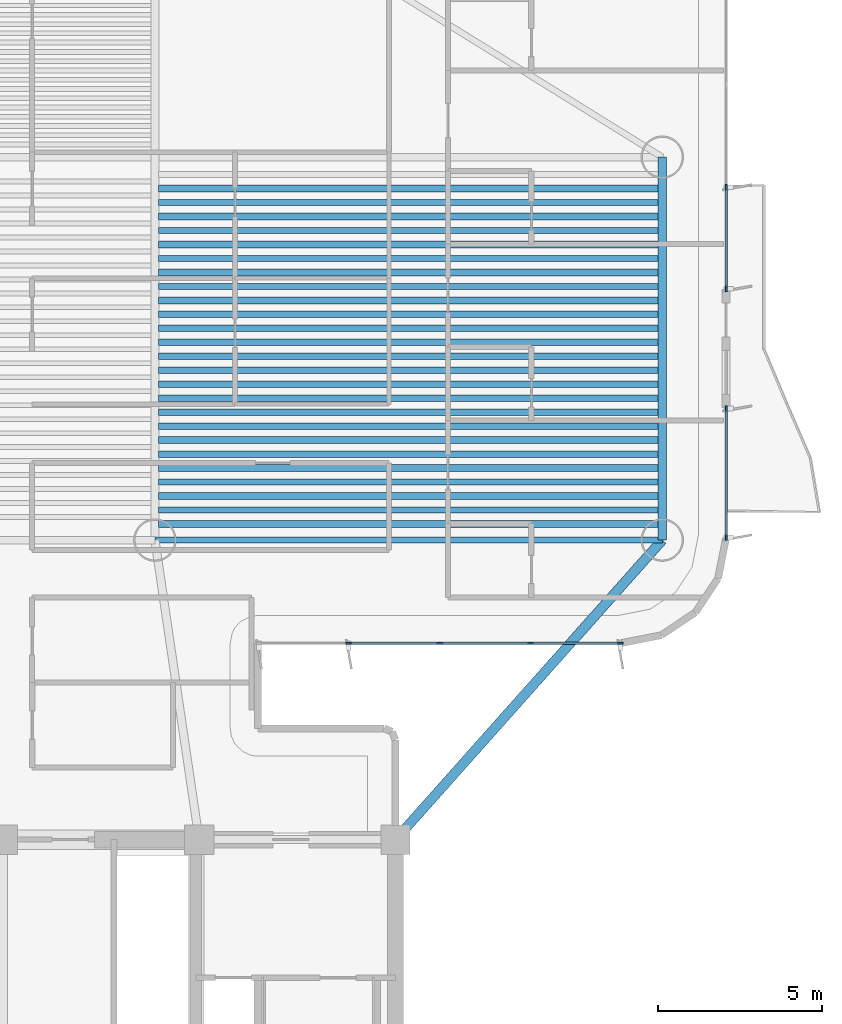
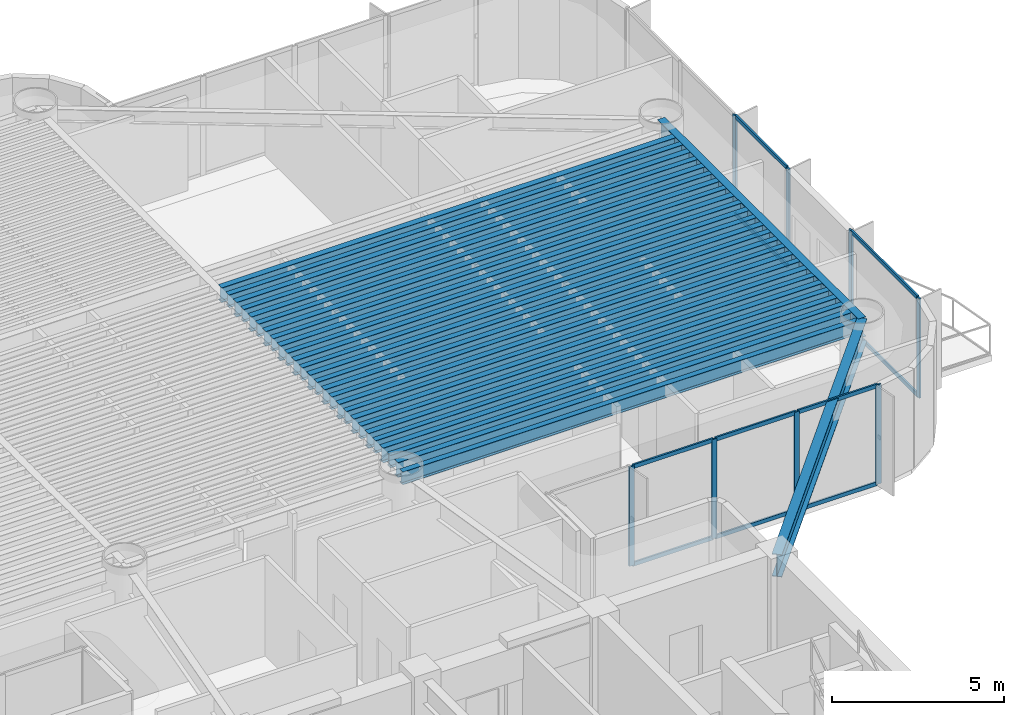
# One storey, part 4 of 17: 28 beams, 18 members, 3 elements without a shape of their own.
"""IFC4 building model written with IfcOpenShell, lengths in metres."""

from ifc_helpers import new_model, si_unit, direction, frame, origin, origin_2d, place, context, subcontext, project, spatial, rectangle, i_section, extrude, source, transform, mapped, material, layer, layer_set, material_profile, profile_set, type_object, element, aggregate, save


model = new_model("IFC4")

# Units and contexts
model_context = context("Model", 3, precision=1e-05, world=origin(), true_north=direction((0.0, 1.0)))
body_context = subcontext(model_context, "Body", "Model", "MODEL_VIEW")
ifc_project = project(units=[si_unit("LENGTHUNIT", "METRE"), si_unit("AREAUNIT", "SQUARE_METRE"), si_unit("VOLUMEUNIT", "CUBIC_METRE"), si_unit("PLANEANGLEUNIT", "RADIAN"), si_unit("MASSUNIT", "GRAM", prefix="KILO")], contexts=[model_context])

# Site, building, storey
site_placement = place(None, origin())
site = spatial("IfcSite", under=ifc_project, at=site_placement, CompositionType="ELEMENT")
building_placement = place(site_placement, origin())
building = spatial("IfcBuilding", under=site, at=building_placement, Name="Brelvock Crest Care Tower", CompositionType="ELEMENT")
storey_placement = place(building_placement, frame((0.0, 0.0, 135.179931640625)))
storey = spatial("IfcBuildingStorey", under=building, at=storey_placement, Name="L34", CompositionType="ELEMENT", Elevation=135.179931640625)

# Beams
ifc_material_1 = material(Name="Steel Grade 350", Category="steel")
ifc_material_profile_1 = material_profile(ifc_material_1, i_section(OverallWidth=0.208984375, OverallDepth=0.532958984375, WebThickness=0.01025390625, FlangeThickness=0.015625, FilletRadius=0.013916015625, at=origin_2d()), Name="530UB92.4")
ifc_profile_set_1 = profile_set([ifc_material_profile_1], Name="Steel Grade 350")
beam_type_1 = type_object("IfcBeamType", Name="BM-G2", PredefinedType="BEAM", material=ifc_profile_set_1)
shared_shape_1 = source(origin(), body_context, "Body", "SweptSolid", [
    extrude(i_section(OverallWidth=0.208984375, OverallDepth=0.532958984375, WebThickness=0.01025390625, FlangeThickness=0.015625, FilletRadius=0.013916015625, at=origin_2d()), origin(), (0.0, 0.0, 1.0), 15.27001953125),
])
for number, where, z_axis, x_axis, name in (
    (1, (40.764892578125, 27.641357421875, 3.263671875), (1.0, 0.0, 0.0), (0.0, 1.0, 0.0), "BM-JE-L34-1"),
    (2, (40.764892578125, 28.49560546875, 3.263671875), (1.0, 0.0, 0.0), (0.0, 1.0, 0.0), "BM-JE-L34-3"),
    (3, (40.764892578125, 29.349609375, 3.263671875), (1.0, 0.0, 0.0), (0.0, 1.0, 0.0), "BM-JE-L34-5"),
    (4, (40.764892578125, 30.20361328125, 3.263671875), (1.0, 0.0, 0.0), (0.0, 1.0, 0.0), "BM-JE-L34-7"),
    (5, (40.764892578125, 31.057861328125, 3.263671875), (1.0, 0.0, 0.0), (0.0, 1.0, 0.0), "BM-JE-L34-9"),
    (6, (40.764892578125, 31.911865234375, 3.263671875), (1.0, 0.0, 0.0), (0.0, 1.0, 0.0), "BM-JE-L34-11"),
    (7, (40.764892578125, 32.76611328125, 3.263671875), (1.0, 0.0, 0.0), (0.0, 1.0, 0.0), "BM-JE-L34-13"),
    (8, (40.764892578125, 33.6201171875, 3.263671875), (1.0, 0.0, 0.0), (0.0, 1.0, 0.0), "BM-JE-L34-15"),
    (9, (40.764892578125, 34.47412109375, 3.263671875), (1.0, 0.0, 0.0), (0.0, 1.0, 0.0), "BM-JE-L34-17"),
    (10, (40.764892578125, 35.328369140625, 3.263671875), (1.0, 0.0, 0.0), (0.0, 1.0, 0.0), "BM-JE-L34-19"),
    (11, (40.764892578125, 36.182373046875, 3.263671875), (1.0, 0.0, 0.0), (0.0, 1.0, 0.0), "BM-JE-L34-21"),
    (12, (40.764892578125, 37.03662109375, 3.263671875), (1.0, 0.0, 0.0), (0.0, 1.0, 0.0), "BM-JE-L34-23"),
    (13, (40.764892578125, 37.890625, 3.263671875), (1.0, 0.0, 0.0), (0.0, 1.0, 0.0), "BM-JE-L34-25"),
):
    element("IfcBeam", number, at=place(storey_placement, frame(where, z_axis=z_axis, x_axis=x_axis)), inside=storey, type_object=beam_type_1, Name=name, PredefinedType="BEAM", context=body_context, shape_type="MappedRepresentation", body=[
        mapped(shared_shape_1, transform((0.0, 0.0, 0.0), x_axis=(1.0, 0.0, 0.0), y_axis=(0.0, 1.0, 0.0), z_axis=(0.0, 0.0, 1.0), scale=1.0)),
    ])
ifc_material_profile_2 = material_profile(ifc_material_1, i_section(OverallWidth=0.19091796875, OverallDepth=0.4599609375, WebThickness=0.010009765625, FlangeThickness=0.01611328125, FilletRadius=0.011474609375, at=origin_2d()), Name="460UB82.1")
ifc_profile_set_2 = profile_set([ifc_material_profile_2], Name="Steel Grade 350")
beam_type_2 = type_object("IfcBeamType", Name="BM-G3", PredefinedType="BEAM", material=ifc_profile_set_2)
shared_shape_2 = source(origin(), body_context, "Body", "SweptSolid", [
    extrude(i_section(OverallWidth=0.19091796875, OverallDepth=0.4599609375, WebThickness=0.010009765625, FlangeThickness=0.01611328125, FilletRadius=0.011474609375, at=origin_2d()), origin(), (0.0, 0.0, 1.0), 15.27001953125),
])
for number, where, z_axis, x_axis, name in (
    (14, (40.764892578125, 28.068359375, 3.300048828125), (1.0, 0.0, 0.0), (0.0, 1.0, 0.0), "BM-JE-L34-2"),
    (15, (40.764892578125, 28.922607421875, 3.300048828125), (1.0, 0.0, 0.0), (0.0, 1.0, 0.0), "BM-JE-L34-4"),
    (16, (40.764892578125, 29.776611328125, 3.300048828125), (1.0, 0.0, 0.0), (0.0, 1.0, 0.0), "BM-JE-L34-6"),
    (17, (40.764892578125, 30.630615234375, 3.300048828125), (1.0, 0.0, 0.0), (0.0, 1.0, 0.0), "BM-JE-L34-8"),
    (18, (40.764892578125, 31.48486328125, 3.300048828125), (1.0, 0.0, 0.0), (0.0, 1.0, 0.0), "BM-JE-L34-10"),
    (19, (40.764892578125, 32.3388671875, 3.300048828125), (1.0, 0.0, 0.0), (0.0, 1.0, 0.0), "BM-JE-L34-12"),
    (20, (40.764892578125, 33.193115234375, 3.300048828125), (1.0, 0.0, 0.0), (0.0, 1.0, 0.0), "BM-JE-L34-14"),
    (21, (40.764892578125, 34.047119140625, 3.300048828125), (1.0, 0.0, 0.0), (0.0, 1.0, 0.0), "BM-JE-L34-16"),
    (22, (40.764892578125, 34.901123046875, 3.300048828125), (1.0, 0.0, 0.0), (0.0, 1.0, 0.0), "BM-JE-L34-18"),
    (23, (40.764892578125, 35.75537109375, 3.300048828125), (1.0, 0.0, 0.0), (0.0, 1.0, 0.0), "BM-JE-L34-20"),
    (24, (40.764892578125, 36.609619140625, 3.300048828125), (1.0, 0.0, 0.0), (0.0, 1.0, 0.0), "BM-JE-L34-22"),
    (25, (40.764892578125, 37.46337890625, 3.300048828125), (1.0, 0.0, 0.0), (0.0, 1.0, 0.0), "BM-JE-L34-24"),
):
    element("IfcBeam", number, at=place(storey_placement, frame(where, z_axis=z_axis, x_axis=x_axis)), inside=storey, type_object=beam_type_2, Name=name, PredefinedType="BEAM", context=body_context, shape_type="MappedRepresentation", body=[
        mapped(shared_shape_2, transform((0.0, 0.0, 0.0), x_axis=(1.0, 0.0, 0.0), y_axis=(0.0, 1.0, 0.0), z_axis=(0.0, 0.0, 1.0), scale=1.0)),
    ])
ifc_material_profile_3 = material_profile(ifc_material_1, i_section(OverallWidth=0.25, OverallDepth=0.699951171875, WebThickness=0.011962890625, FlangeThickness=0.02001953125, at=origin_2d()), Name="700WB150")
ifc_profile_set_3 = profile_set([ifc_material_profile_3], Name="Steel Grade 350")
beam_type_3 = type_object("IfcBeamType", Name="BM-G4", PredefinedType="BEAM", material=ifc_profile_set_3)
shared_shape_3 = source(origin(), body_context, "Body", "SweptSolid", [
    extrude(i_section(OverallWidth=0.25, OverallDepth=0.699951171875, WebThickness=0.011962890625, FlangeThickness=0.02001953125, at=origin_2d()), origin(), (0.0, 0.0, 1.0), 11.7001953125),
])
beam_1_placement = place(storey_placement, frame((56.14990234375, 27.14990234375, 3.18017578125), z_axis=(0.0, 1.0, 0.0), x_axis=(-1.0, 0.0, 0.0)))
element("IfcBeam", 26, at=beam_1_placement, inside=storey, type_object=beam_type_3, Name="BM-TWR-L34-02", PredefinedType="BEAM", context=body_context, shape_type="MappedRepresentation", body=[
    mapped(shared_shape_3, transform((0.0, 0.0, 0.0), x_axis=(1.0, 0.0, 0.0), y_axis=(0.0, 1.0, 0.0), z_axis=(0.0, 0.0, 1.0), scale=1.0)),
])
ifc_material_profile_4 = material_profile(ifc_material_1, i_section(OverallWidth=0.19091796875, OverallDepth=0.4599609375, WebThickness=0.010009765625, FlangeThickness=0.01611328125, FilletRadius=0.011474609375, at=origin_2d()), Name="460UB82.1")
ifc_profile_set_4 = profile_set([ifc_material_profile_4], Name="Steel Grade 350")
beam_type_4 = type_object("IfcBeamType", Name="BM-SP2", PredefinedType="SPANDREL", material=ifc_profile_set_4)
shared_shape_4 = source(origin(), body_context, "Body", "SweptSolid", [
    extrude(i_section(OverallWidth=0.19091796875, OverallDepth=0.4599609375, WebThickness=0.010009765625, FlangeThickness=0.01611328125, FilletRadius=0.011474609375, at=origin_2d()), origin(), (0.0, 0.0, 1.0), 15.5),
])
beam_2_placement = place(storey_placement, frame((40.64990234375, 27.14990234375, 3.300048828125), z_axis=(1.0, 0.0, 0.0), x_axis=(0.0, 1.0, 0.0)))
element("IfcBeam", 27, at=beam_2_placement, inside=storey, type_object=beam_type_4, Name="BM-TWR-L34-04", PredefinedType="SPANDREL", context=body_context, shape_type="MappedRepresentation", body=[
    mapped(shared_shape_4, transform((0.0, 0.0, 0.0), x_axis=(1.0, 0.0, 0.0), y_axis=(0.0, 1.0, 0.0), z_axis=(0.0, 0.0, 1.0), scale=1.0)),
])
ifc_material_profile_5 = material_profile(ifc_material_1, i_section(OverallWidth=0.300048828125, OverallDepth=0.800048828125, WebThickness=0.013916015625, FlangeThickness=0.02197265625, at=origin_2d()), Name="800WB192")
ifc_profile_set_5 = profile_set([ifc_material_profile_5], Name="Steel Grade 350")
beam_type_5 = type_object("IfcBeamType", Name="BM-G5", PredefinedType="BEAM", material=ifc_profile_set_5)
shared_shape_5 = source(origin(), body_context, "Body", "SweptSolid", [
    extrude(i_section(OverallWidth=0.300048828125, OverallDepth=0.800048828125, WebThickness=0.013916015625, FlangeThickness=0.02197265625, at=origin_2d()), origin(), (0.0, 0.0, 1.0), 12.253173828125),
])
beam_3_placement = place(storey_placement, frame((48.0, 18.0, 3.130126953125), z_axis=(0.665122829149, 0.746733970129, 0.0), x_axis=(-0.746733970129, 0.665122829149, 0.0)))
element("IfcBeam", 28, at=beam_3_placement, inside=storey, type_object=beam_type_5, Name="BM-THRO-E-L34", PredefinedType="BEAM", context=body_context, shape_type="MappedRepresentation", body=[
    mapped(shared_shape_5, transform((0.0, 0.0, 0.0), x_axis=(1.0, 0.0, 0.0), y_axis=(0.0, 1.0, 0.0), z_axis=(0.0, 0.0, 1.0), scale=1.0)),
])

# Curtain wall, members
ifc_material_2 = material(Name="Dark Glass Double Glazed Low-E", Category="glass")
ifc_layer = layer(ifc_material_2, 0.2099609375, Name="CWS-3")
ifc_layer_set = layer_set([ifc_layer], Name="Dark Glass Double Glazed Low-E")
curtain_wall_type = type_object("IfcCurtainWallType", Name="CWS-3", PredefinedType="NOTDEFINED", material=ifc_layer_set)
curtain_wall_1_placement = place(storey_placement, origin())
curtain_wall_1 = element("IfcCurtainWall", 29, at=curtain_wall_1_placement, inside=storey, type_object=curtain_wall_type, Name="L34 Curtain Wall E39A", PredefinedType="NOTDEFINED")
ifc_material_3 = material(Name="Aluminium 6063-T6", Category="aluminium")
ifc_material_profile_6 = material_profile(ifc_material_3, rectangle(XDim=0.06005859375, YDim=0.179931640625, at=origin_2d()), Name="ALU60x180")
ifc_profile_set_6 = profile_set([ifc_material_profile_6], Name="Aluminium 6063-T6")
member_type_1 = type_object("IfcMemberType", Name="CWM-2", PredefinedType="MULLION", material=ifc_profile_set_6)
shared_shape_6 = source(origin(), body_context, "Body", "SweptSolid", [
    extrude(rectangle(XDim=0.06005859375, YDim=0.179931640625, at=origin_2d()), origin(), (0.0, 0.0, 1.0), 3.530029296875),
])
member_1_placement = place(storey_placement, frame((58.10009765625, 37.933349609375, 0.0), z_axis=(0.0, 0.0, 1.0), x_axis=(1.0, 0.0, 0.0)))
member_1 = element("IfcMember", 30, at=member_1_placement, type_object=member_type_1, Name="CW-3 mullion 3", PredefinedType="MULLION", context=body_context, shape_type="MappedRepresentation", body=[
    mapped(shared_shape_6, transform((0.0, 0.0, 0.0), x_axis=(1.0, 0.0, 0.0), y_axis=(0.0, 1.0, 0.0), z_axis=(0.0, 0.0, 1.0), scale=1.0)),
])
member_2_placement = place(storey_placement, frame((58.10009765625, 34.830078125, 0.0), z_axis=(0.0, 0.0, 1.0), x_axis=(1.0, 0.0, 0.0)))
member_2 = element("IfcMember", 31, at=member_2_placement, type_object=member_type_1, Name="CW-3 mullion 4", PredefinedType="MULLION", context=body_context, shape_type="MappedRepresentation", body=[
    mapped(shared_shape_6, transform((0.0, 0.0, 0.0), x_axis=(1.0, 0.0, 0.0), y_axis=(0.0, 1.0, 0.0), z_axis=(0.0, 0.0, 1.0), scale=1.0)),
])

curtain_wall_2_placement = place(storey_placement, origin())
curtain_wall_2 = element("IfcCurtainWall", 32, at=curtain_wall_2_placement, inside=storey, type_object=curtain_wall_type, Name="L34 Curtain Wall E39B", PredefinedType="NOTDEFINED")
member_3_placement = place(storey_placement, frame((58.10009765625, 31.169921875, 0.0), z_axis=(0.0, 0.0, 1.0), x_axis=(1.0, 0.0, 0.0)))
member_3 = element("IfcMember", 33, at=member_3_placement, type_object=member_type_1, Name="CW-3 mullion 1", PredefinedType="MULLION", context=body_context, shape_type="MappedRepresentation", body=[
    mapped(shared_shape_6, transform((0.0, 0.0, 0.0), x_axis=(1.0, 0.0, 0.0), y_axis=(0.0, 1.0, 0.0), z_axis=(0.0, 0.0, 1.0), scale=1.0)),
])
member_4_placement = place(storey_placement, frame((58.10009765625, 27.22998046875, 0.0), z_axis=(0.0, 0.0, 1.0), x_axis=(1.0, 0.0, 0.0)))
member_4 = element("IfcMember", 34, at=member_4_placement, type_object=member_type_1, Name="CW-3 mullion 2", PredefinedType="MULLION", context=body_context, shape_type="MappedRepresentation", body=[
    mapped(shared_shape_6, transform((0.0, 0.0, 0.0), x_axis=(1.0, 0.0, 0.0), y_axis=(0.0, 1.0, 0.0), z_axis=(0.0, 0.0, 1.0), scale=1.0)),
])

curtain_wall_3_placement = place(storey_placement, origin())
curtain_wall_3 = element("IfcCurtainWall", 35, at=curtain_wall_3_placement, inside=storey, type_object=curtain_wall_type, Name="L34 Curtain Wall E44", PredefinedType="NOTDEFINED")
member_5_placement = place(storey_placement, frame((54.8701171875, 24.0, 0.0), z_axis=(0.0, 0.0, 1.0), x_axis=(0.0, -1.0, 0.0)))
member_5 = element("IfcMember", 36, at=member_5_placement, type_object=member_type_1, Name="CW-3 mullion 1", PredefinedType="MULLION", context=body_context, shape_type="MappedRepresentation", body=[
    mapped(shared_shape_6, transform((0.0, 0.0, 0.0), x_axis=(1.0, 0.0, 0.0), y_axis=(0.0, 1.0, 0.0), z_axis=(0.0, 0.0, 1.0), scale=1.0)),
])
member_6_placement = place(storey_placement, frame((52.125, 24.0, 0.0), z_axis=(0.0, 0.0, 1.0), x_axis=(0.0, -1.0, 0.0)))
member_6 = element("IfcMember", 37, at=member_6_placement, type_object=member_type_1, Name="CW-3 mullion 2", PredefinedType="MULLION", context=body_context, shape_type="MappedRepresentation", body=[
    mapped(shared_shape_6, transform((0.0, 0.0, 0.0), x_axis=(1.0, 0.0, 0.0), y_axis=(0.0, 1.0, 0.0), z_axis=(0.0, 0.0, 1.0), scale=1.0)),
])
member_7_placement = place(storey_placement, frame((49.35009765625, 24.0, 0.0), z_axis=(0.0, 0.0, 1.0), x_axis=(0.0, -1.0, 0.0)))
member_7 = element("IfcMember", 38, at=member_7_placement, type_object=member_type_1, Name="CW-3 mullion 3", PredefinedType="MULLION", context=body_context, shape_type="MappedRepresentation", body=[
    mapped(shared_shape_6, transform((0.0, 0.0, 0.0), x_axis=(1.0, 0.0, 0.0), y_axis=(0.0, 1.0, 0.0), z_axis=(0.0, 0.0, 1.0), scale=1.0)),
])
member_8_placement = place(storey_placement, frame((46.574951171875, 24.0, 0.0), z_axis=(0.0, 0.0, 1.0), x_axis=(0.0, -1.0, 0.0)))
member_8 = element("IfcMember", 39, at=member_8_placement, type_object=member_type_1, Name="CW-3 mullion 4", PredefinedType="MULLION", context=body_context, shape_type="MappedRepresentation", body=[
    mapped(shared_shape_6, transform((0.0, 0.0, 0.0), x_axis=(1.0, 0.0, 0.0), y_axis=(0.0, 1.0, 0.0), z_axis=(0.0, 0.0, 1.0), scale=1.0)),
])
ifc_material_profile_7 = material_profile(ifc_material_3, rectangle(XDim=0.06005859375, YDim=0.139892578125, at=origin_2d()), Name="ALU60x140")
ifc_profile_set_7 = profile_set([ifc_material_profile_7], Name="Aluminium 6063-T6")
member_type_2 = type_object("IfcMemberType", Name="CWT-2", PredefinedType="USERDEFINED", material=ifc_profile_set_7)
shared_shape_7 = source(origin(), body_context, "Body", "SweptSolid", [
    extrude(rectangle(XDim=0.06005859375, YDim=0.139892578125, at=origin_2d()), origin(), (0.0, 0.0, 1.0), 2.715087890625),
])
member_9_placement = place(storey_placement, frame((52.094970703125, 24.0, 0.030029296875), z_axis=(-1.0, 0.0, 0.0), x_axis=(0.0, -1.0, 0.0)))
member_9 = element("IfcMember", 40, at=member_9_placement, type_object=member_type_2, Name="CW-3 transom 2.1", ObjectType="TRANSOM", PredefinedType="USERDEFINED", context=body_context, shape_type="MappedRepresentation", body=[
    mapped(shared_shape_7, transform((0.0, 0.0, 0.0), x_axis=(1.0, 0.0, 0.0), y_axis=(0.0, 1.0, 0.0), z_axis=(0.0, 0.0, 1.0), scale=1.0)),
])
member_10_placement = place(storey_placement, frame((52.094970703125, 24.0, 3.5), z_axis=(-1.0, 0.0, 0.0), x_axis=(0.0, -1.0, 0.0)))
member_10 = element("IfcMember", 41, at=member_10_placement, type_object=member_type_2, Name="CW-3 transom 2.2", ObjectType="TRANSOM", PredefinedType="USERDEFINED", context=body_context, shape_type="MappedRepresentation", body=[
    mapped(shared_shape_7, transform((0.0, 0.0, 0.0), x_axis=(1.0, 0.0, 0.0), y_axis=(0.0, 1.0, 0.0), z_axis=(0.0, 0.0, 1.0), scale=1.0)),
])
member_11_placement = place(storey_placement, frame((49.320068359375, 24.0, 0.030029296875), z_axis=(-1.0, 0.0, 0.0), x_axis=(0.0, -1.0, 0.0)))
member_11 = element("IfcMember", 42, at=member_11_placement, type_object=member_type_2, Name="CW-3 transom 3.1", ObjectType="TRANSOM", PredefinedType="USERDEFINED", context=body_context, shape_type="MappedRepresentation", body=[
    mapped(shared_shape_7, transform((0.0, 0.0, 0.0), x_axis=(1.0, 0.0, 0.0), y_axis=(0.0, 1.0, 0.0), z_axis=(0.0, 0.0, 1.0), scale=1.0)),
])
member_12_placement = place(storey_placement, frame((49.320068359375, 24.0, 3.5), z_axis=(-1.0, 0.0, 0.0), x_axis=(0.0, -1.0, 0.0)))
member_12 = element("IfcMember", 43, at=member_12_placement, type_object=member_type_2, Name="CW-3 transom 3.2", ObjectType="TRANSOM", PredefinedType="USERDEFINED", context=body_context, shape_type="MappedRepresentation", body=[
    mapped(shared_shape_7, transform((0.0, 0.0, 0.0), x_axis=(1.0, 0.0, 0.0), y_axis=(0.0, 1.0, 0.0), z_axis=(0.0, 0.0, 1.0), scale=1.0)),
])
shared_shape_8 = source(origin(), body_context, "Body", "SweptSolid", [
    extrude(rectangle(XDim=0.06005859375, YDim=0.139892578125, at=origin_2d()), origin(), (0.0, 0.0, 1.0), 2.68505859375),
])
member_13_placement = place(storey_placement, frame((54.840087890625, 24.0, 0.030029296875), z_axis=(-1.0, 0.0, 0.0), x_axis=(0.0, -1.0, 0.0)))
member_13 = element("IfcMember", 44, at=member_13_placement, type_object=member_type_2, Name="CW-3 transom 1.1", ObjectType="TRANSOM", PredefinedType="USERDEFINED", context=body_context, shape_type="MappedRepresentation", body=[
    mapped(shared_shape_8, transform((0.0, 0.0, 0.0), x_axis=(1.0, 0.0, 0.0), y_axis=(0.0, 1.0, 0.0), z_axis=(0.0, 0.0, 1.0), scale=1.0)),
])
member_14_placement = place(storey_placement, frame((54.840087890625, 24.0, 3.5), z_axis=(-1.0, 0.0, 0.0), x_axis=(0.0, -1.0, 0.0)))
member_14 = element("IfcMember", 45, at=member_14_placement, type_object=member_type_2, Name="CW-3 transom 1.2", ObjectType="TRANSOM", PredefinedType="USERDEFINED", context=body_context, shape_type="MappedRepresentation", body=[
    mapped(shared_shape_8, transform((0.0, 0.0, 0.0), x_axis=(1.0, 0.0, 0.0), y_axis=(0.0, 1.0, 0.0), z_axis=(0.0, 0.0, 1.0), scale=1.0)),
])
aggregate(curtain_wall_3, [member_5, member_6, member_7, member_8, member_13, member_14, member_9, member_10, member_11, member_12])

# Member
shared_shape_9 = source(origin(), body_context, "Body", "SweptSolid", [
    extrude(rectangle(XDim=0.06005859375, YDim=0.139892578125, at=origin_2d()), origin(), (0.0, 0.0, 1.0), 3.8798828125),
])
member_15_placement = place(storey_placement, frame((58.10009765625, 31.139892578125, 0.030029296875), z_axis=(0.0, -1.0, 0.0), x_axis=(1.0, 0.0, 0.0)))
member_15 = element("IfcMember", 46, at=member_15_placement, type_object=member_type_2, Name="CW-3 transom 1.1", ObjectType="TRANSOM", PredefinedType="USERDEFINED", context=body_context, shape_type="MappedRepresentation", body=[
    mapped(shared_shape_9, transform((0.0, 0.0, 0.0), x_axis=(1.0, 0.0, 0.0), y_axis=(0.0, 1.0, 0.0), z_axis=(0.0, 0.0, 1.0), scale=1.0)),
])

member_16_placement = place(storey_placement, frame((58.10009765625, 31.139892578125, 3.5), z_axis=(0.0, -1.0, 0.0), x_axis=(1.0, 0.0, 0.0)))
member_16 = element("IfcMember", 47, at=member_16_placement, type_object=member_type_2, Name="CW-3 transom 1.2", ObjectType="TRANSOM", PredefinedType="USERDEFINED", context=body_context, shape_type="MappedRepresentation", body=[
    mapped(shared_shape_9, transform((0.0, 0.0, 0.0), x_axis=(1.0, 0.0, 0.0), y_axis=(0.0, 1.0, 0.0), z_axis=(0.0, 0.0, 1.0), scale=1.0)),
])

aggregate(curtain_wall_2, [member_3, member_4, member_15, member_16])

shared_shape_10 = source(origin(), body_context, "Body", "SweptSolid", [
    extrude(rectangle(XDim=0.06005859375, YDim=0.139892578125, at=origin_2d()), origin(), (0.0, 0.0, 1.0), 3.043212890625),
])
member_17_placement = place(storey_placement, frame((58.10009765625, 37.9033203125, 0.030029296875), z_axis=(0.0, -1.0, 0.0), x_axis=(1.0, 0.0, 0.0)))
member_17 = element("IfcMember", 48, at=member_17_placement, type_object=member_type_2, Name="CW-3 transom 3.1", ObjectType="TRANSOM", PredefinedType="USERDEFINED", context=body_context, shape_type="MappedRepresentation", body=[
    mapped(shared_shape_10, transform((0.0, 0.0, 0.0), x_axis=(1.0, 0.0, 0.0), y_axis=(0.0, 1.0, 0.0), z_axis=(0.0, 0.0, 1.0), scale=1.0)),
])

member_18_placement = place(storey_placement, frame((58.10009765625, 37.9033203125, 3.5), z_axis=(0.0, -1.0, 0.0), x_axis=(1.0, 0.0, 0.0)))
member_18 = element("IfcMember", 49, at=member_18_placement, type_object=member_type_2, Name="CW-3 transom 3.2", ObjectType="TRANSOM", PredefinedType="USERDEFINED", context=body_context, shape_type="MappedRepresentation", body=[
    mapped(shared_shape_10, transform((0.0, 0.0, 0.0), x_axis=(1.0, 0.0, 0.0), y_axis=(0.0, 1.0, 0.0), z_axis=(0.0, 0.0, 1.0), scale=1.0)),
])

aggregate(curtain_wall_1, [member_1, member_2, member_17, member_18])

save(model, "model.ifc")
